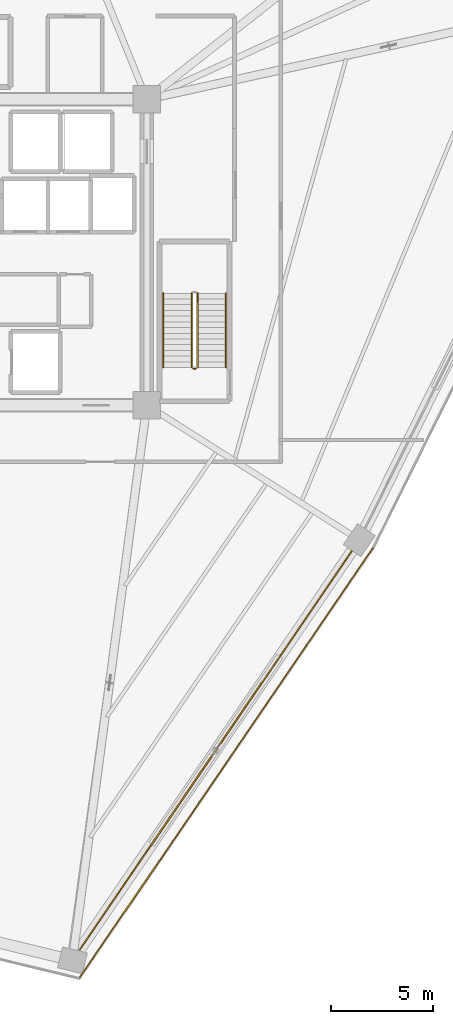
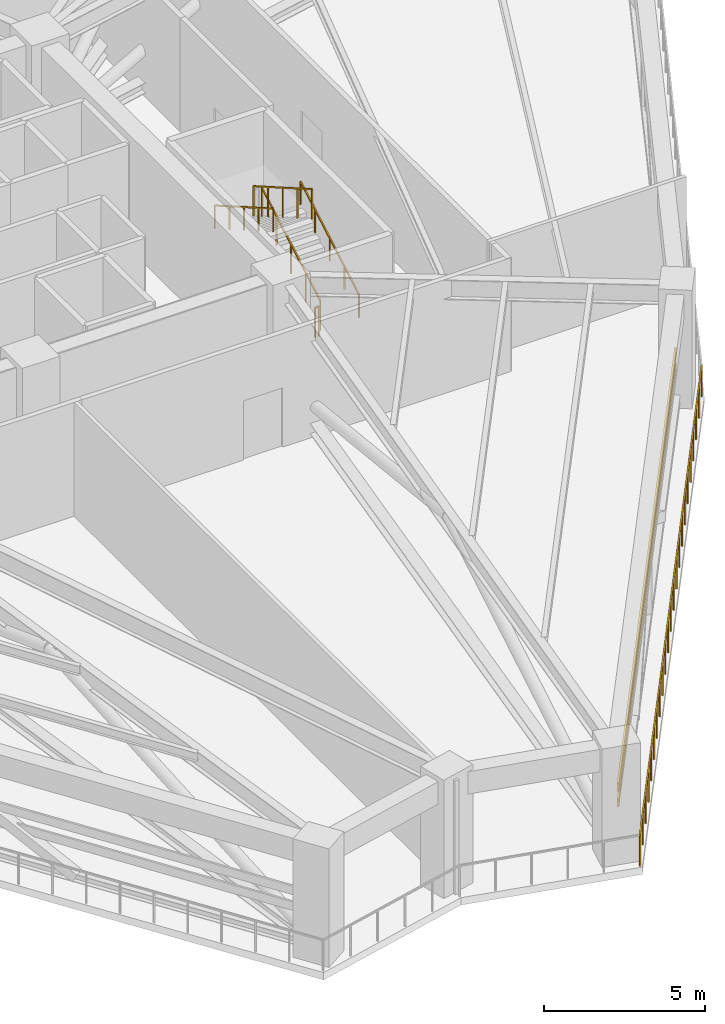
# One storey, part 20 of 25: 6 railings, 2 shading devices.
"""IFC4 building model written with IfcOpenShell, lengths in metres."""

from ifc_helpers import new_model, si_unit, direction, frame, origin, origin_2d, place, context, subcontext, project, spatial, rectangle, extrude, source, transform, mapped, material, material_profile, profile_set, type_object, element, save


model = new_model("IFC4")

# Units and contexts
model_context = context("Model", 3, precision=1e-05, world=origin(), true_north=direction((0.0, 1.0)))
body_context = subcontext(model_context, "Body", "Model", "MODEL_VIEW")
ifc_project = project(units=[si_unit("LENGTHUNIT", "METRE"), si_unit("AREAUNIT", "SQUARE_METRE"), si_unit("VOLUMEUNIT", "CUBIC_METRE"), si_unit("PLANEANGLEUNIT", "RADIAN"), si_unit("MASSUNIT", "GRAM", prefix="KILO")], contexts=[model_context])

# Site, building, storey
site_placement = place(None, origin())
site = spatial("IfcSite", under=ifc_project, at=site_placement, CompositionType="ELEMENT")
building_placement = place(site_placement, origin())
building = spatial("IfcBuilding", under=site, at=building_placement, Name="Liaohun Quay Tower", CompositionType="ELEMENT")
storey_placement = place(building_placement, frame((0.0, 0.0, 231.75)))
storey = spatial("IfcBuildingStorey", under=building, at=storey_placement, Name="L60", CompositionType="ELEMENT", Elevation=231.75)

# Railings
ifc_material_1 = material(Name="Galvanised and powder-coated steel", Category="steel")
railing_type_1 = type_object("IfcRailingType", Name="RLG-GUARD-EXT", PredefinedType="GUARDRAIL", material=ifc_material_1)
railing_1_placement = place(storey_placement, frame((80.0791015625, 39.49609375, 0.0)))
element("IfcRailing", 1, at=railing_1_placement, inside=storey, type_object=railing_type_1, Name="L60 Open Refuge Band Perimeter Guardrail 10", PredefinedType="GUARDRAIL", context=body_context, shape_type="SweptSolid", body=[
    extrude(rectangle(XDim=0.048095703125, YDim=0.048095703125, at=origin_2d()), frame((0.0, 0.0, 1.17578125), z_axis=(-0.563828298199, -0.825892032986, 0.0), x_axis=(0.825892032986, -0.563828298199, 0.0)), (0.0, 0.0, 1.0), 25.5205078125),
    extrude(rectangle(XDim=0.0419921875, YDim=0.0419921875, at=origin_2d()), origin(), (0.0, 0.0, 1.0), 1.15185546875),
    extrude(rectangle(XDim=0.0419921875, YDim=0.0419921875, at=origin_2d()), frame((-0.654052734375, -0.9580078125, 0.0)), (0.0, 0.0, 1.0), 1.15185546875),
    extrude(rectangle(XDim=0.0419921875, YDim=0.0419921875, at=origin_2d()), frame((-1.30810546875, -1.916015625, 0.0)), (0.0, 0.0, 1.0), 1.15185546875),
    extrude(rectangle(XDim=0.0419921875, YDim=0.0419921875, at=origin_2d()), frame((-1.962158203125, -2.874267578125, 0.0)), (0.0, 0.0, 1.0), 1.15185546875),
    extrude(rectangle(XDim=0.0419921875, YDim=0.0419921875, at=origin_2d()), frame((-2.6162109375, -3.832275390625, 0.0)), (0.0, 0.0, 1.0), 1.15185546875),
    extrude(rectangle(XDim=0.0419921875, YDim=0.0419921875, at=origin_2d()), frame((-3.270263671875, -4.790283203125, 0.0)), (0.0, 0.0, 1.0), 1.15185546875),
    extrude(rectangle(XDim=0.0419921875, YDim=0.0419921875, at=origin_2d()), frame((-3.92431640625, -5.748291015625, 0.0)), (0.0, 0.0, 1.0), 1.15185546875),
    extrude(rectangle(XDim=0.0419921875, YDim=0.0419921875, at=origin_2d()), frame((-4.578369140625, -6.706298828125, 0.0)), (0.0, 0.0, 1.0), 1.15185546875),
    extrude(rectangle(XDim=0.0419921875, YDim=0.0419921875, at=origin_2d()), frame((-5.232421875, -7.664306640625, 0.0)), (0.0, 0.0, 1.0), 1.15185546875),
    extrude(rectangle(XDim=0.0419921875, YDim=0.0419921875, at=origin_2d()), frame((-5.886474609375, -8.62255859375, 0.0)), (0.0, 0.0, 1.0), 1.15185546875),
    extrude(rectangle(XDim=0.0419921875, YDim=0.0419921875, at=origin_2d()), frame((-6.54052734375, -9.58056640625, 0.0)), (0.0, 0.0, 1.0), 1.15185546875),
    extrude(rectangle(XDim=0.0419921875, YDim=0.0419921875, at=origin_2d()), frame((-7.194580078125, -10.53857421875, 0.0)), (0.0, 0.0, 1.0), 1.15185546875),
    extrude(rectangle(XDim=0.0419921875, YDim=0.0419921875, at=origin_2d()), frame((-7.8486328125, -11.49658203125, 0.0)), (0.0, 0.0, 1.0), 1.15185546875),
    extrude(rectangle(XDim=0.0419921875, YDim=0.0419921875, at=origin_2d()), frame((-8.502685546875, -12.45458984375, 0.0)), (0.0, 0.0, 1.0), 1.15185546875),
    extrude(rectangle(XDim=0.0419921875, YDim=0.0419921875, at=origin_2d()), frame((-9.15673828125, -13.412841796875, 0.0)), (0.0, 0.0, 1.0), 1.15185546875),
    extrude(rectangle(XDim=0.0419921875, YDim=0.0419921875, at=origin_2d()), frame((-9.810791015625, -14.370849609375, 0.0)), (0.0, 0.0, 1.0), 1.15185546875),
    extrude(rectangle(XDim=0.0419921875, YDim=0.0419921875, at=origin_2d()), frame((-10.46484375, -15.328857421875, 0.0)), (0.0, 0.0, 1.0), 1.15185546875),
    extrude(rectangle(XDim=0.0419921875, YDim=0.0419921875, at=origin_2d()), frame((-11.118896484375, -16.286865234375, 0.0)), (0.0, 0.0, 1.0), 1.15185546875),
    extrude(rectangle(XDim=0.0419921875, YDim=0.0419921875, at=origin_2d()), frame((-11.77294921875, -17.244873046875, 0.0)), (0.0, 0.0, 1.0), 1.15185546875),
    extrude(rectangle(XDim=0.0419921875, YDim=0.0419921875, at=origin_2d()), frame((-12.427001953125, -18.202880859375, 0.0)), (0.0, 0.0, 1.0), 1.15185546875),
    extrude(rectangle(XDim=0.0419921875, YDim=0.0419921875, at=origin_2d()), frame((-13.0810546875, -19.1611328125, 0.0)), (0.0, 0.0, 1.0), 1.15185546875),
    extrude(rectangle(XDim=0.0419921875, YDim=0.0419921875, at=origin_2d()), frame((-13.735107421875, -20.119140625, 0.0)), (0.0, 0.0, 1.0), 1.15185546875),
    extrude(rectangle(XDim=0.0419921875, YDim=0.0419921875, at=origin_2d()), frame((-14.38916015625, -21.0771484375, 0.0)), (0.0, 0.0, 1.0), 1.15185546875),
])
ifc_material_2 = material(Name="Painted tubular steel", Category="steel")
railing_type_2 = type_object("IfcRailingType", Name="RLG-GUARD-STR", PredefinedType="GUARDRAIL", material=ifc_material_2)
railing_2_placement = place(storey_placement, frame((71.489990234375, 48.35009765625, 0.16064453125)))
element("IfcRailing", 2, at=railing_2_placement, inside=storey, type_object=railing_type_2, Name="L60 ST-2 stair guard 1", PredefinedType="GUARDRAIL", context=body_context, shape_type="SweptSolid", body=[
    extrude(rectangle(XDim=0.048095703125, YDim=0.048095703125, at=origin_2d()), frame((0.0, 0.0, 1.1259765625), z_axis=(0.0, 0.8672749571, 0.497829437445), x_axis=(-1.0, 0.0, 0.0)), (0.0, 0.0, 1.0), 4.197021484375),
    extrude(rectangle(XDim=0.0419921875, YDim=0.0419921875, at=origin_2d()), origin(), (0.0, 0.0, 1.0), 1.101806640625),
    extrude(rectangle(XDim=0.0419921875, YDim=0.0419921875, at=origin_2d()), frame((0.0, 0.909912109375, 0.5224609375)), (0.0, 0.0, 1.0), 1.101806640625),
    extrude(rectangle(XDim=0.0419921875, YDim=0.0419921875, at=origin_2d()), frame((0.0, 1.81982421875, 1.044677734375)), (0.0, 0.0, 1.0), 1.101806640625),
    extrude(rectangle(XDim=0.0419921875, YDim=0.0419921875, at=origin_2d()), frame((0.0, 2.72998046875, 1.56689453125)), (0.0, 0.0, 1.0), 1.101806640625),
    extrude(rectangle(XDim=0.0419921875, YDim=0.0419921875, at=origin_2d()), frame((0.0, 3.639892578125, 2.08935546875)), (0.0, 0.0, 1.0), 1.101806640625),
])
railing_3_placement = place(storey_placement, frame((71.18994140625, 51.989990234375, 2.41064453125)))
element("IfcRailing", 3, at=railing_3_placement, inside=storey, type_object=railing_type_2, Name="L60 ST-2 stair guard 3", PredefinedType="GUARDRAIL", context=body_context, shape_type="SweptSolid", body=[
    extrude(rectangle(XDim=0.048095703125, YDim=0.048095703125, at=origin_2d()), frame((0.0, 0.0, 1.1259765625), z_axis=(0.0, -0.8672749571, 0.497829437445), x_axis=(1.0, 0.0, 0.0)), (0.0, 0.0, 1.0), 4.197021484375),
    extrude(rectangle(XDim=0.0419921875, YDim=0.0419921875, at=origin_2d()), origin(), (0.0, 0.0, 1.0), 1.101806640625),
    extrude(rectangle(XDim=0.0419921875, YDim=0.0419921875, at=origin_2d()), frame((0.0, -0.909912109375, 0.5224609375)), (0.0, 0.0, 1.0), 1.101806640625),
    extrude(rectangle(XDim=0.0419921875, YDim=0.0419921875, at=origin_2d()), frame((0.0, -1.81982421875, 1.044677734375)), (0.0, 0.0, 1.0), 1.101806640625),
    extrude(rectangle(XDim=0.0419921875, YDim=0.0419921875, at=origin_2d()), frame((0.0, -2.72998046875, 1.56689453125)), (0.0, 0.0, 1.0), 1.101806640625),
    extrude(rectangle(XDim=0.0419921875, YDim=0.0419921875, at=origin_2d()), frame((0.0, -3.639892578125, 2.08935546875)), (0.0, 0.0, 1.0), 1.101806640625),
])
railing_4_placement = place(storey_placement, frame((71.409912109375, 48.300048828125, 0.0)))
element("IfcRailing", 4, at=railing_4_placement, inside=storey, type_object=railing_type_2, Name="L60 ST-2 stair guard 4", PredefinedType="GUARDRAIL", context=body_context, shape_type="SweptSolid", body=[
    extrude(rectangle(XDim=0.048095703125, YDim=0.048095703125, at=origin_2d()), frame((0.0, 0.0, 1.1259765625), z_axis=(-1.0, 0.0, 0.0), x_axis=(0.0, -1.0, 0.0)), (0.0, 0.0, 1.0), 0.139892578125),
    extrude(rectangle(XDim=0.0419921875, YDim=0.0419921875, at=origin_2d()), origin(), (0.0, 0.0, 1.0), 1.101806640625),
    extrude(rectangle(XDim=0.0419921875, YDim=0.0419921875, at=origin_2d()), frame((-0.139892578125, 0.0, 0.0)), (0.0, 0.0, 1.0), 1.101806640625),
])
ifc_material_3 = material(Name="Brushed stainless steel", Category="steel")
railing_type_3 = type_object("IfcRailingType", Name="RLG-HND-STR", PredefinedType="HANDRAIL", material=ifc_material_3)
railing_5_placement = place(storey_placement, frame((72.8798828125, 48.35009765625, 0.16064453125)))
element("IfcRailing", 5, at=railing_5_placement, inside=storey, type_object=railing_type_3, Name="L60 ST-2 stair handrail 1", PredefinedType="HANDRAIL", context=body_context, shape_type="SweptSolid", body=[
    extrude(rectangle(XDim=0.048095703125, YDim=0.048095703125, at=origin_2d()), frame((0.0, 0.0, 0.8759765625), z_axis=(0.0, 0.8672749571, 0.497829437445), x_axis=(-1.0, 0.0, 0.0)), (0.0, 0.0, 1.0), 4.197021484375),
    extrude(rectangle(XDim=0.0419921875, YDim=0.0419921875, at=origin_2d()), origin(), (0.0, 0.0, 1.0), 0.851806640625),
    extrude(rectangle(XDim=0.0419921875, YDim=0.0419921875, at=origin_2d()), frame((0.0, 0.909912109375, 0.5224609375)), (0.0, 0.0, 1.0), 0.851806640625),
    extrude(rectangle(XDim=0.0419921875, YDim=0.0419921875, at=origin_2d()), frame((0.0, 1.81982421875, 1.044677734375)), (0.0, 0.0, 1.0), 0.851806640625),
    extrude(rectangle(XDim=0.0419921875, YDim=0.0419921875, at=origin_2d()), frame((0.0, 2.72998046875, 1.56689453125)), (0.0, 0.0, 1.0), 0.851806640625),
    extrude(rectangle(XDim=0.0419921875, YDim=0.0419921875, at=origin_2d()), frame((0.0, 3.639892578125, 2.08935546875)), (0.0, 0.0, 1.0), 0.851806640625),
])
railing_6_placement = place(storey_placement, frame((69.800048828125, 51.989990234375, 2.41064453125)))
element("IfcRailing", 6, at=railing_6_placement, inside=storey, type_object=railing_type_3, Name="L60 ST-2 stair handrail 2", PredefinedType="HANDRAIL", context=body_context, shape_type="SweptSolid", body=[
    extrude(rectangle(XDim=0.048095703125, YDim=0.048095703125, at=origin_2d()), frame((0.0, 0.0, 0.8759765625), z_axis=(0.0, -0.8672749571, 0.497829437445), x_axis=(1.0, 0.0, 0.0)), (0.0, 0.0, 1.0), 4.197021484375),
    extrude(rectangle(XDim=0.0419921875, YDim=0.0419921875, at=origin_2d()), origin(), (0.0, 0.0, 1.0), 0.851806640625),
    extrude(rectangle(XDim=0.0419921875, YDim=0.0419921875, at=origin_2d()), frame((0.0, -0.909912109375, 0.5224609375)), (0.0, 0.0, 1.0), 0.851806640625),
    extrude(rectangle(XDim=0.0419921875, YDim=0.0419921875, at=origin_2d()), frame((0.0, -1.81982421875, 1.044677734375)), (0.0, 0.0, 1.0), 0.851806640625),
    extrude(rectangle(XDim=0.0419921875, YDim=0.0419921875, at=origin_2d()), frame((0.0, -2.72998046875, 1.56689453125)), (0.0, 0.0, 1.0), 0.851806640625),
    extrude(rectangle(XDim=0.0419921875, YDim=0.0419921875, at=origin_2d()), frame((0.0, -3.639892578125, 2.08935546875)), (0.0, 0.0, 1.0), 0.851806640625),
])

# Shading devices
ifc_material_4 = material(Name="Fluorocarbon-coated aluminium", Category="aluminium")
ifc_material_profile = material_profile(ifc_material_4, rectangle(XDim=0.06494140625, YDim=0.320068359375, at=origin_2d()), Name="ALU-LVR-320x65")
ifc_profile_set = profile_set([ifc_material_profile], Name="Fluorocarbon-coated aluminium")
shading_device_type = type_object("IfcShadingDeviceType", Name="SHD-LVR-REF", PredefinedType="USERDEFINED", material=ifc_profile_set)
shared_shape = source(origin(), body_context, "Body", "SweptSolid", [
    extrude(rectangle(XDim=0.06494140625, YDim=0.320068359375, at=origin_2d()), origin(), (0.0, 0.0, 1.0), 23.704833984375),
])
for number, where, z_axis, x_axis, name in (
    (7, (79.06591796875, 39.3779296875, 1.550048828125), (-0.563810031345, -0.82590450329, 0.0), (0.82590450329, -0.563810031345, 0.0), "L60 Refuge Plant Acoustic Louvre Blade LV-1-07"),
    (8, (79.06591796875, 39.3779296875, 2.14990234375), (-0.563810031345, -0.82590450329, 0.0), (0.82590450329, -0.563810031345, 0.0), "L60 Refuge Plant Acoustic Louvre Blade LV-1-08"),
):
    element("IfcShadingDevice", number, at=place(storey_placement, frame(where, z_axis=z_axis, x_axis=x_axis)), inside=storey, type_object=shading_device_type, Name=name, ObjectType="LOUVRE", PredefinedType="USERDEFINED", context=body_context, shape_type="MappedRepresentation", body=[
        mapped(shared_shape, transform((0.0, 0.0, 0.0), x_axis=(1.0, 0.0, 0.0), y_axis=(0.0, 1.0, 0.0), z_axis=(0.0, 0.0, 1.0), scale=1.0)),
    ])

save(model, "model.ifc")
